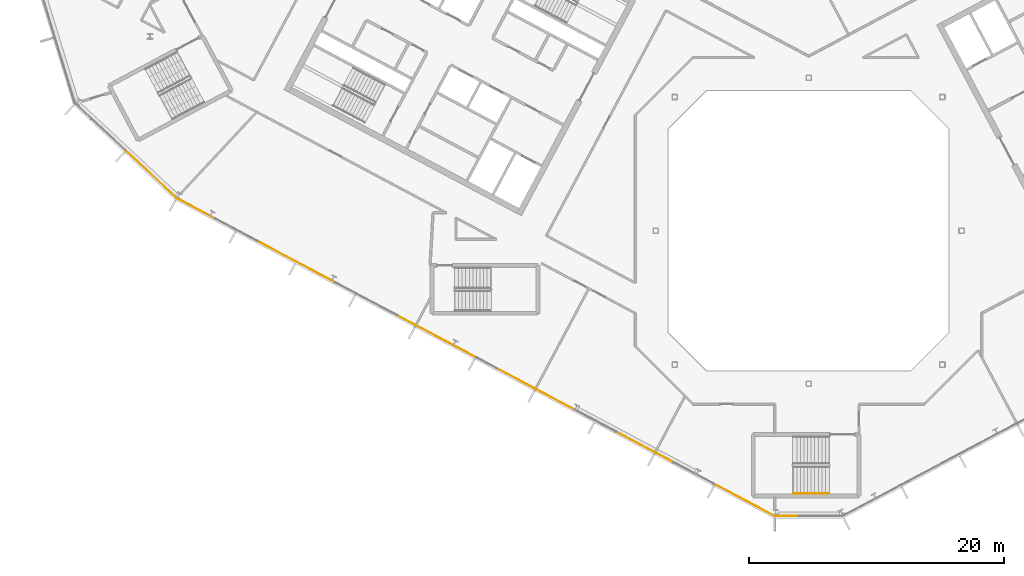
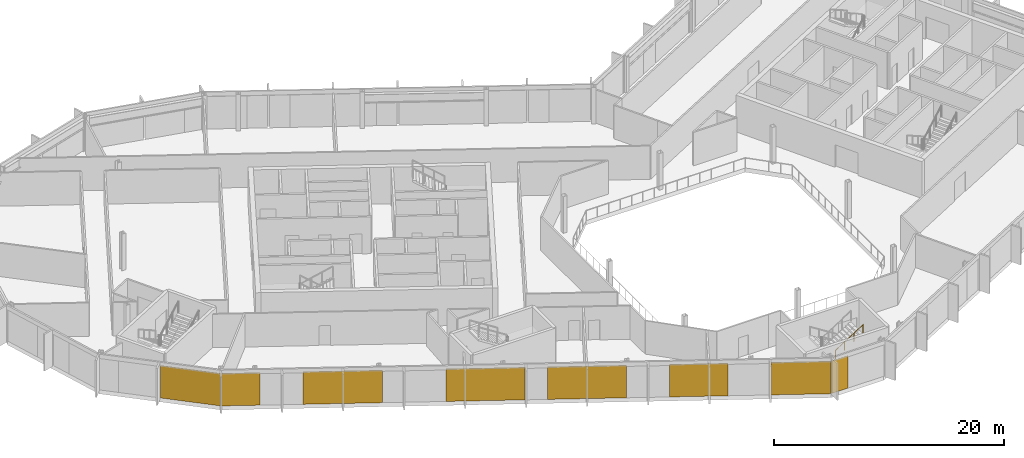
# One storey, part 19 of 26: 8 coverings, 1 railing, 3 elements without a shape of their own.
"""IFC4 building model written with IfcOpenShell, lengths in metres."""

from ifc_helpers import new_model, si_unit, direction, frame, origin, origin_2d, place, context, subcontext, project, spatial, polyline, rectangle, outline, extrude, material, layer, layer_set, type_object, element, aggregate, save


model = new_model("IFC4")

# Units and contexts
model_context = context("Model", 3, precision=1e-05, world=origin(), true_north=direction((0.0, 1.0)))
body_context = subcontext(model_context, "Body", "Model", "MODEL_VIEW")
ifc_project = project(units=[si_unit("LENGTHUNIT", "METRE"), si_unit("AREAUNIT", "SQUARE_METRE"), si_unit("VOLUMEUNIT", "CUBIC_METRE"), si_unit("PLANEANGLEUNIT", "RADIAN"), si_unit("MASSUNIT", "GRAM", prefix="KILO")], contexts=[model_context])

# Site, building, storey
site_placement = place(None, origin())
site = spatial("IfcSite", under=ifc_project, at=site_placement, CompositionType="ELEMENT")
building_placement = place(site_placement, origin())
building = spatial("IfcBuilding", under=site, at=building_placement, Name="Cormorant Relay Tower", CompositionType="ELEMENT")
storey_placement = place(building_placement, frame((0.0, 0.0, 320.39990234375)))
storey = spatial("IfcBuildingStorey", under=building, at=storey_placement, Name="L73", CompositionType="ELEMENT", Elevation=320.39990234375)

# Curtain wall, covering
ifc_material_1 = material(Name="Aluminium 6063-T6 anodised bronze", Category="aluminium")
ifc_layer_1 = layer(ifc_material_1, 0.199951171875)
ifc_layer_set_1 = layer_set([ifc_layer_1], Name="CW1 unitised bronze curtain wall with vertical fins")
curtain_wall_type = type_object("IfcCurtainWallType", Name="CW1 unitised bronze curtain wall with vertical fins", PredefinedType="NOTDEFINED", material=ifc_layer_set_1)
curtain_wall_1_placement = place(storey_placement, origin())
curtain_wall_1 = element("IfcCurtainWall", 1, at=curtain_wall_1_placement, inside=storey, type_object=curtain_wall_type, Name="CW1 curtain wall 1", PredefinedType="NOTDEFINED")
ifc_material_2 = material(Name="Pale bronze anodised aluminium insulated panel", Category="aluminium")
ifc_layer_2 = layer(ifc_material_2, 0.0400390625)
ifc_layer_set_2 = layer_set([ifc_layer_2], Name="CW1 pale bronze insulated panel 40")
covering_type = type_object("IfcCoveringType", Name="CW1 pale bronze insulated panel 40", PredefinedType="CLADDING", material=ifc_layer_set_2)
covering_1_placement = place(storey_placement, frame((-1.762451171875, -22.3955078125, 0.0), z_axis=(0.0, 0.0, 1.0), x_axis=(1.0, 0.0, 0.0)))
covering_1 = element("IfcCovering", 2, at=covering_1_placement, type_object=covering_type, Name="CW1 panel S00", PredefinedType="CLADDING", context=body_context, shape_type="SweptSolid", body=[
    extrude(rectangle(XDim=1.622802734375, YDim=0.0400390625, at=origin_2d()), origin(), (0.0, 0.0, 1.0), 3.449951171875),
])
aggregate(curtain_wall_1, [covering_1])

curtain_wall_2_placement = place(storey_placement, origin())
curtain_wall_2 = element("IfcCurtainWall", 3, at=curtain_wall_2_placement, inside=storey, type_object=curtain_wall_type, Name="CW1 curtain wall 15", PredefinedType="NOTDEFINED")
covering_2_placement = place(storey_placement, frame((-51.565185546875, 4.3974609375, 0.0), z_axis=(0.0, 0.0, 1.0), x_axis=(0.731353701619, -0.681998360062, 0.0)))
covering_2 = element("IfcCovering", 4, at=covering_2_placement, type_object=covering_type, Name="CW1 panel S02", PredefinedType="CLADDING", context=body_context, shape_type="SweptSolid", body=[
    extrude(rectangle(XDim=5.360107421875, YDim=0.0400390625, at=origin_2d()), origin(), (0.0, 0.0, 1.0), 3.449951171875),
])
aggregate(curtain_wall_2, [covering_2])

# Curtain wall, coverings
curtain_wall_3_placement = place(storey_placement, origin())
curtain_wall_3 = element("IfcCurtainWall", 5, at=curtain_wall_3_placement, inside=storey, type_object=curtain_wall_type, Name="CW1 curtain wall 16", PredefinedType="NOTDEFINED")
covering_3_placement = place(storey_placement, frame((-48.048583984375, 1.7412109375, 0.0), z_axis=(0.0, 0.0, 1.0), x_axis=(0.882947592859, -0.469471562786, 0.0)))
covering_3 = element("IfcCovering", 6, at=covering_3_placement, type_object=covering_type, Name="CW1 panel S00", PredefinedType="CLADDING", context=body_context, shape_type="SweptSolid", body=[
    extrude(rectangle(XDim=3.36669921875, YDim=0.0400390625, at=origin_2d()), origin(), (0.0, 0.0, 1.0), 3.449951171875),
])
covering_4_placement = place(storey_placement, frame((-40.21240234375, -2.42529296875, 0.0), z_axis=(0.0, 0.0, 1.0), x_axis=(0.882947592859, -0.469471562786, 0.0)))
covering_4 = element("IfcCovering", 7, at=covering_4_placement, type_object=covering_type, Name="CW1 panel S03", PredefinedType="CLADDING", context=body_context, shape_type="SweptSolid", body=[
    extrude(rectangle(XDim=6.88330078125, YDim=0.0400390625, at=origin_2d()), origin(), (0.0, 0.0, 1.0), 3.449951171875),
])
covering_5_placement = place(storey_placement, frame((-29.234619140625, -8.26220703125, 0.0), z_axis=(0.0, 0.0, 1.0), x_axis=(0.882947592859, -0.469471562786, 0.0)))
covering_5 = element("IfcCovering", 8, at=covering_5_placement, type_object=covering_type, Name="CW1 panel S06", PredefinedType="CLADDING", context=body_context, shape_type="SweptSolid", body=[
    extrude(rectangle(XDim=6.88330078125, YDim=0.0400390625, at=origin_2d()), origin(), (0.0, 0.0, 1.0), 3.449951171875),
])
covering_6_placement = place(storey_placement, frame((-21.435302734375, -12.4091796875, 0.0), z_axis=(0.0, 0.0, 1.0), x_axis=(0.882947592859, -0.469471562786, 0.0)))
covering_6 = element("IfcCovering", 9, at=covering_6_placement, type_object=covering_type, Name="CW1 panel S08", PredefinedType="CLADDING", context=body_context, shape_type="SweptSolid", body=[
    extrude(rectangle(XDim=6.88330078125, YDim=0.0400390625, at=origin_2d()), origin(), (0.0, 0.0, 1.0), 3.449951171875),
])
covering_7_placement = place(storey_placement, frame((-12.84130859375, -16.978759765625, 0.0), z_axis=(0.0, 0.0, 1.0), x_axis=(0.882947592859, -0.469471562786, 0.0)))
covering_7 = element("IfcCovering", 10, at=covering_7_placement, type_object=covering_type, Name="CW1 panel S11", PredefinedType="CLADDING", context=body_context, shape_type="SweptSolid", body=[
    extrude(rectangle(XDim=5.083251953125, YDim=0.0400390625, at=origin_2d()), origin(), (0.0, 0.0, 1.0), 3.449951171875),
])
covering_8_placement = place(storey_placement, frame((-4.972412109375, -21.162841796875, 0.0), z_axis=(0.0, 0.0, 1.0), x_axis=(0.882947592859, -0.469471562786, 0.0)))
covering_8 = element("IfcCovering", 11, at=covering_8_placement, type_object=covering_type, Name="CW1 panel S13", PredefinedType="CLADDING", context=body_context, shape_type="SweptSolid", body=[
    extrude(rectangle(XDim=5.24169921875, YDim=0.0400390625, at=origin_2d()), origin(), (0.0, 0.0, 1.0), 3.449951171875),
])
aggregate(curtain_wall_3, [covering_3, covering_4, covering_5, covering_6, covering_7, covering_8])

# Railing
ifc_material_3 = material(Name="Steel ASTM A572 Grade 50 (Fy 345 MPa)", Category="steel")
railing_type = type_object("IfcRailingType", Name="Stair handrail 900", PredefinedType="HANDRAIL", material=ifc_material_3)
railing_placement = place(storey_placement, frame((-1.199951171875, -20.625, 2.12744140625)))
element("IfcRailing", 12, at=railing_placement, inside=storey, type_object=railing_type, Name="L73 RK1 stair handrail 2", PredefinedType="HANDRAIL", context=body_context, shape_type="SweptSolid", body=[
    extrude(outline(polyline([(0.022216796875, 0.00927734375), (0.00927734375, 0.022216796875), (-0.00927734375, 0.022216796875), (-0.022216796875, 0.00927734375), (-0.022216796875, -0.00927734375), (-0.00927734375, -0.022216796875), (0.00927734375, -0.022216796875), (0.022216796875, -0.00927734375), (0.022216796875, 0.00927734375)])), frame((0.0, 0.0, 0.8759765625), z_axis=(0.844908973607, 0.0, 0.534910110503), x_axis=(0.0, 1.0, 0.0)), (0.0, 0.0, 1.0), 3.31396484375),
    extrude(outline(polyline([(0.019287109375, 0.008056640625), (0.008056640625, 0.019287109375), (-0.008056640625, 0.019287109375), (-0.019287109375, 0.008056640625), (-0.019287109375, -0.008056640625), (-0.008056640625, -0.019287109375), (0.008056640625, -0.019287109375), (0.019287109375, -0.008056640625), (0.019287109375, 0.008056640625)])), origin(), (0.0, 0.0, 1.0), 0.851806640625),
    extrude(outline(polyline([(0.019287109375, 0.008056640625), (0.008056640625, 0.019287109375), (-0.008056640625, 0.019287109375), (-0.019287109375, 0.008056640625), (-0.019287109375, -0.008056640625), (-0.008056640625, -0.019287109375), (0.008056640625, -0.019287109375), (0.019287109375, -0.008056640625), (0.019287109375, 0.008056640625)])), frame((0.933349609375, 0.0, 0.5908203125)), (0.0, 0.0, 1.0), 0.851806640625),
    extrude(outline(polyline([(0.019287109375, 0.008056640625), (0.008056640625, 0.019287109375), (-0.008056640625, 0.019287109375), (-0.019287109375, 0.008056640625), (-0.019287109375, -0.008056640625), (-0.008056640625, -0.019287109375), (0.008056640625, -0.019287109375), (0.019287109375, -0.008056640625), (0.019287109375, 0.008056640625)])), frame((1.86669921875, 0.0, 1.181884765625)), (0.0, 0.0, 1.0), 0.851806640625),
    extrude(outline(polyline([(0.019287109375, 0.008056640625), (0.008056640625, 0.019287109375), (-0.008056640625, 0.019287109375), (-0.019287109375, 0.008056640625), (-0.019287109375, -0.008056640625), (-0.008056640625, -0.019287109375), (0.008056640625, -0.019287109375), (0.019287109375, -0.008056640625), (0.019287109375, 0.008056640625)])), frame((2.800048828125, 0.0, 1.772705078125)), (0.0, 0.0, 1.0), 0.851806640625),
])

save(model, "model.ifc")
